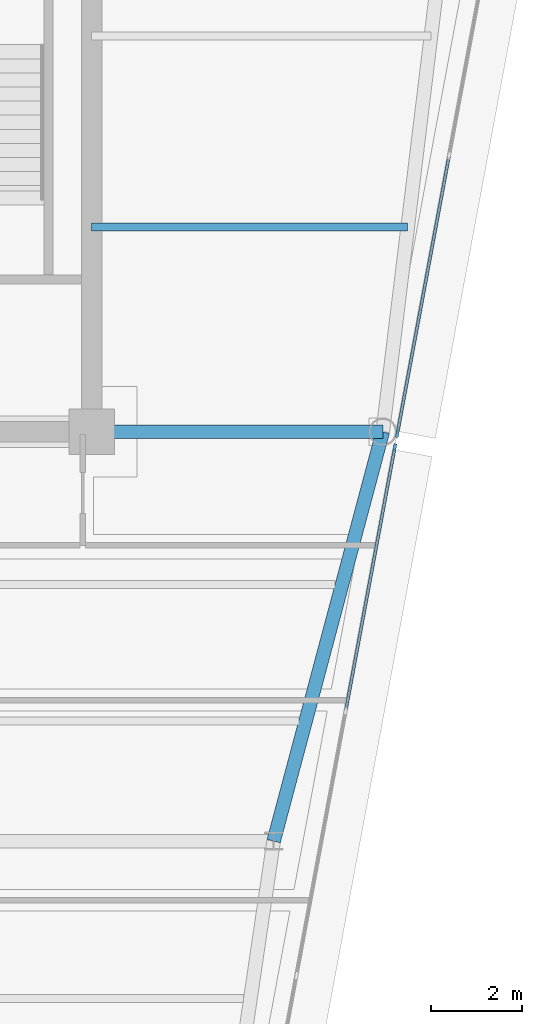
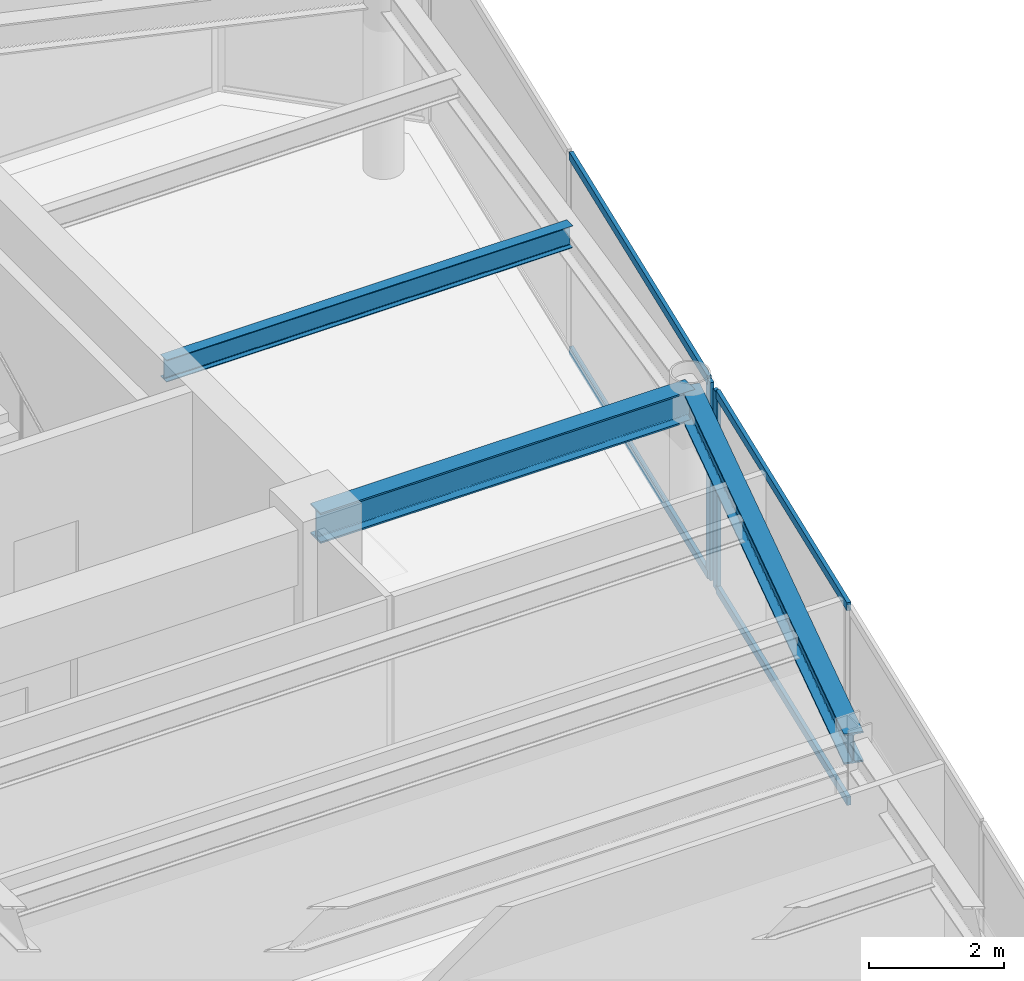
# One storey, part 6 of 18: 6 members, 3 beams, 2 elements without a shape of their own.
"""IFC4 building model written with IfcOpenShell, lengths in metres."""

import ifcopenshell
import ifcopenshell.guid

model = None  # the IFC model being written
_history = None  # IfcOwnerHistory: only IFC2X3 demands one
_inside = {}  # id of a spatial element -> (the spatial element, [elements in it])
_under = {}  # id of a project, library or spatial element -> (it, [spatial elements below it])
_declared = {}  # id of a project -> (the project, [libraries it declares])
_typed = {}  # id of a type object -> (the type object, [elements of that type])
_made_of = {}  # id of a material, layer set ... -> (it, [elements and type objects made of it])


def new_model(schema):
    """Start an empty IFC model of exactly this schema.

    Asked for "IFC4X3", IfcOpenShell would pick the latest addendum, in which some entities
    have other attributes; the version numbers below select the first issue.
    IFC2X3 requires an IfcOwnerHistory on every rooted entity: one is made here for all.
    """
    global model, _history
    if schema == "IFC4X3":
        model = ifcopenshell.file(schema_version=(4, 3, 0, 0))
    else:
        model = ifcopenshell.file(schema=schema)
    _inside.clear()
    _under.clear()
    _declared.clear()
    _typed.clear()
    _made_of.clear()
    _history = None
    if model.schema == "IFC2X3":
        org = make("IfcOrganization", Name="unknown")
        user = make(
            "IfcPersonAndOrganization",
            ThePerson=make("IfcPerson", FamilyName="unknown"),
            TheOrganization=org,
        )
        app = make(
            "IfcApplication",
            ApplicationDeveloper=org,
            Version="unknown",
            ApplicationFullName="unknown",
            ApplicationIdentifier="unknown",
        )
        _history = make(
            "IfcOwnerHistory",
            OwningUser=user,
            OwningApplication=app,
            ChangeAction="ADDED",
            CreationDate=0,
        )
    return model


def make(cls, **values):
    """One entity of the class cls with the attributes given. An attribute that is None is left unset."""
    return model.create_entity(
        cls, **{name: value for name, value in values.items() if value is not None}
    )


def rooted(cls, **values):
    """An entity with a GlobalId (a new one), such as an element, a storey or a relation."""
    return make(cls, GlobalId=ifcopenshell.guid.new(), OwnerHistory=_history, **values)


def si_unit(unit_type, name, prefix=None):
    """IfcSIUnit, for example si_unit("LENGTHUNIT", "METRE", prefix="MILLI")."""
    return make("IfcSIUnit", UnitType=unit_type, Prefix=prefix, Name=name)


def assignment(units):
    """IfcUnitAssignment: the units of a project."""
    return None if units is None else make("IfcUnitAssignment", Units=units)


def point(xyz):
    """IfcCartesianPoint."""
    return None if xyz is None else make("IfcCartesianPoint", Coordinates=xyz)


def direction(xyz):
    """IfcDirection."""
    return None if xyz is None else make("IfcDirection", DirectionRatios=xyz)


def frame(location, z_axis=None, x_axis=None):
    """IfcAxis2Placement3D, a coordinate frame: its origin and axes. An axis left out is left unset."""
    return make(
        "IfcAxis2Placement3D",
        Location=point(location),
        Axis=direction(z_axis),
        RefDirection=direction(x_axis),
    )


def frame_2d(location, x_axis=None):
    """IfcAxis2Placement2D, a coordinate frame in the plane: its origin and x axis."""
    return make(
        "IfcAxis2Placement2D", Location=point(location), RefDirection=direction(x_axis)
    )


def origin():
    """The frame at (0, 0, 0) with its axes left unset."""
    return frame((0.0, 0.0, 0.0))


def origin_2d():
    """The frame at (0, 0) in the plane with its x axis left unset."""
    return frame_2d((0.0, 0.0))


def place(relative_to, where):
    """IfcLocalPlacement: puts the frame where relative to a parent placement (None: the world)."""
    return make(
        "IfcLocalPlacement", PlacementRelTo=relative_to, RelativePlacement=where
    )


def context(
    kind, dimensions, precision=None, world=None, true_north=None, identifier=None
):
    """IfcGeometricRepresentationContext, for example the 3D "Model" context."""
    return make(
        "IfcGeometricRepresentationContext",
        ContextIdentifier=identifier,
        ContextType=kind,
        CoordinateSpaceDimension=dimensions,
        Precision=precision,
        WorldCoordinateSystem=world,
        TrueNorth=true_north,
    )


def subcontext(parent, identifier, kind, view, scale=None):
    """IfcGeometricRepresentationSubContext, for example "Body" below "Model"."""
    return make(
        "IfcGeometricRepresentationSubContext",
        ContextIdentifier=identifier,
        ContextType=kind,
        ParentContext=parent,
        TargetScale=scale,
        TargetView=view,
    )


def project(units=None, contexts=None):
    """IfcProject with its units and contexts."""
    return rooted(
        "IfcProject",
        Name="project",
        RepresentationContexts=contexts,
        UnitsInContext=assignment(units),
    )


def spatial(cls, under=None, at=None, **own):
    """A site, building, storey or space (cls), placed at a placement, below another one or the project."""
    s = rooted(cls, ObjectPlacement=at, **own)
    if under is not None:
        _under.setdefault(under.id(), (under, []))[1].append(s)
    return s


def profile(cls, at=None, kind="AREA", **sizes):
    """A parametric profile (cls). Its sizes go by their IFC names, for example OverallWidth=200.0."""
    return make(cls, ProfileType=kind, Position=at, **sizes)


def rectangle(**sizes):
    """IfcRectangleProfileDef."""
    return profile("IfcRectangleProfileDef", **sizes)


def i_section(**sizes):
    """IfcIShapeProfileDef."""
    return profile("IfcIShapeProfileDef", **sizes)


def extrude(swept, where, along, depth):
    """IfcExtrudedAreaSolid: the profile swept, set in the frame where, extruded along a direction by depth."""
    return make(
        "IfcExtrudedAreaSolid",
        SweptArea=swept,
        Position=where,
        ExtrudedDirection=direction(along),
        Depth=depth,
    )


def shape(context_of_items, identifier, shape_type, items):
    """IfcShapeRepresentation: the items that make up one representation, for example the "Body"."""
    return make(
        "IfcShapeRepresentation",
        ContextOfItems=context_of_items,
        RepresentationIdentifier=identifier,
        RepresentationType=shape_type,
        Items=items,
    )


def source(mapping_origin, context_of_items, identifier, shape_type, items):
    """IfcRepresentationMap: a shape defined once, which mapped items show again and again."""
    return make(
        "IfcRepresentationMap",
        MappingOrigin=mapping_origin,
        MappedRepresentation=shape(context_of_items, identifier, shape_type, items),
    )


def transform(
    local_origin,
    x_axis=None,
    y_axis=None,
    z_axis=None,
    scale=None,
    scale2=None,
    scale3=None,
    uniform=True,
):
    """IfcCartesianTransformationOperator3D, or its non-uniform kind. x_axis, y_axis, z_axis: its Axis1, 2, 3."""
    if uniform:
        return make(
            "IfcCartesianTransformationOperator3D",
            Axis1=direction(x_axis),
            Axis2=direction(y_axis),
            LocalOrigin=point(local_origin),
            Scale=scale,
            Axis3=direction(z_axis),
        )
    return make(
        "IfcCartesianTransformationOperator3DnonUniform",
        Axis1=direction(x_axis),
        Axis2=direction(y_axis),
        LocalOrigin=point(local_origin),
        Scale=scale,
        Axis3=direction(z_axis),
        Scale2=scale2,
        Scale3=scale3,
    )


def mapped(mapping_source, mapping_target):
    """IfcMappedItem: shows the shape of a source again, moved by a transform."""
    return make(
        "IfcMappedItem", MappingSource=mapping_source, MappingTarget=mapping_target
    )


def material(Name=None, Category=None):
    """IfcMaterial."""
    return make("IfcMaterial", Name=Name, Category=Category)


def layer(
    of_material, thickness, ventilated=None, Name=None, Category=None, Priority=None
):
    """IfcMaterialLayer: one layer of a wall or slab, of a material (None: an air gap)."""
    return make(
        "IfcMaterialLayer",
        Material=of_material,
        LayerThickness=thickness,
        IsVentilated=ventilated,
        Name=Name,
        Category=Category,
        Priority=Priority,
    )


def layer_set(layers, Name=None):
    """IfcMaterialLayerSet."""
    return make("IfcMaterialLayerSet", MaterialLayers=layers, LayerSetName=Name)


def material_profile(
    of_material, cross_section, Name=None, Category=None, Priority=None
):
    """IfcMaterialProfile: a cross section and its material."""
    return make(
        "IfcMaterialProfile",
        Name=Name,
        Material=of_material,
        Profile=cross_section,
        Priority=Priority,
        Category=Category,
    )


def profile_set(profiles, Name=None, composite=None):
    """IfcMaterialProfileSet."""
    return make(
        "IfcMaterialProfileSet",
        Name=Name,
        MaterialProfiles=profiles,
        CompositeProfile=composite,
    )


def made_of(thing, what):
    """Note that an element or type object is made of a material, layer set ...; save() writes the relation."""
    if what is not None:
        _made_of.setdefault(what.id(), (what, []))[1].append(thing)
    return thing


def type_object(cls, material=None, **own):
    """A type object (cls), such as IfcWallType, which elements share."""
    return made_of(rooted(cls, **own), material)


def element(
    cls,
    number,
    at=None,
    inside=None,
    cuts=None,
    type_object=None,
    material=None,
    context=None,
    identifier="Body",
    shape_type=None,
    held_by="IfcProductDefinitionShape",
    body=None,
    shapes=None,
    **own,
):
    """One element of the class cls, such as IfcWall. Its Tag is "e" and its number.

    at: its placement. inside: the storey or other place that contains it. cuts: it is an
    opening in that element (IfcRelVoidsElement). A single representation is given by context,
    identifier, shape_type and body (its items); several are given by shapes. held_by: the class
    of the entity that holds the representations. save() writes the other relations.
    """
    e = rooted(cls, Tag="e%d" % number, ObjectPlacement=at, **own)
    if body is not None:
        shapes = [shape(context, identifier, shape_type, body)]
    if shapes is not None:
        e.Representation = make(held_by, Representations=shapes)
    if inside is not None:
        _inside.setdefault(inside.id(), (inside, []))[1].append(e)
    if cuts is not None:
        rooted(
            "IfcRelVoidsElement", RelatingBuildingElement=cuts, RelatedOpeningElement=e
        )
    if type_object is not None:
        _typed.setdefault(type_object.id(), (type_object, []))[1].append(e)
    return made_of(e, material)


def aggregate(whole, parts):
    """IfcRelAggregates: a whole, such as a stair, and the parts it consists of."""
    return rooted("IfcRelAggregates", RelatingObject=whole, RelatedObjects=parts)


def save(model, path):
    """Write the relations noted so far, then the file.

    IfcRelAggregates (storeys below a building ...), IfcRelContainedInSpatialStructure (elements
    in a storey), IfcRelDefinesByType, IfcRelAssociatesMaterial and IfcRelDeclares: one each for
    every whole, place, type object, material and project.
    """
    for whole, parts in _under.values():
        aggregate(whole, parts)
    for where, things in _inside.values():
        rooted(
            "IfcRelContainedInSpatialStructure",
            RelatedElements=things,
            RelatingStructure=where,
        )
    for kind, things in _typed.values():
        rooted("IfcRelDefinesByType", RelatedObjects=things, RelatingType=kind)
    for what, things in _made_of.values():
        rooted("IfcRelAssociatesMaterial", RelatedObjects=things, RelatingMaterial=what)
    for by, libraries in _declared.values():
        rooted("IfcRelDeclares", RelatingContext=by, RelatedDefinitions=libraries)
    model.write(path)


model = new_model("IFC4")

# Units and contexts
model_context = context("Model", 3, precision=1e-05, world=origin(), true_north=direction((0.0, 1.0)))
body_context = subcontext(model_context, "Body", "Model", "MODEL_VIEW")
ifc_project = project(units=[si_unit("LENGTHUNIT", "METRE"), si_unit("AREAUNIT", "SQUARE_METRE"), si_unit("VOLUMEUNIT", "CUBIC_METRE"), si_unit("PLANEANGLEUNIT", "RADIAN"), si_unit("MASSUNIT", "GRAM", prefix="KILO")], contexts=[model_context])

# Site, building, storey
site_placement = place(None, origin())
site = spatial("IfcSite", under=ifc_project, at=site_placement, CompositionType="ELEMENT")
building_placement = place(site_placement, origin())
building = spatial("IfcBuilding", under=site, at=building_placement, Name="Vaeldorn Concourse Tower", CompositionType="ELEMENT")
storey_placement = place(building_placement, frame((0.0, 0.0, 261.199951171875)))
storey = spatial("IfcBuildingStorey", under=building, at=storey_placement, Name="L67", CompositionType="ELEMENT", Elevation=261.199951171875)

# Beams
ifc_material_1 = material(Name="Steel S355", Category="steel")
ifc_material_profile_1 = material_profile(ifc_material_1, i_section(OverallWidth=0.179931640625, OverallDepth=0.39990234375, WebThickness=0.008544921875, FlangeThickness=0.013427734375, FilletRadius=0.02099609375, at=origin_2d()), Name="IPE 400")
ifc_profile_set_1 = profile_set([ifc_material_profile_1], Name="Steel S355")
beam_type_1 = type_object("IfcBeamType", Name="BM-JS-IPE400", PredefinedType="JOIST", material=ifc_profile_set_1)
shared_shape_1 = source(origin(), body_context, "Body", "SweptSolid", [
    extrude(i_section(OverallWidth=0.179931640625, OverallDepth=0.39990234375, WebThickness=0.008544921875, FlangeThickness=0.013427734375, FilletRadius=0.02099609375, at=origin_2d()), origin(), (0.0, 0.0, 1.0), 6.94775390625),
])
beam_1_placement = place(storey_placement, frame((54.0, 41.0, 3.380126953125), z_axis=(1.0, 0.0, 0.0), x_axis=(0.0, 1.0, 0.0)))
element("IfcBeam", 1, at=beam_1_placement, inside=storey, type_object=beam_type_1, Name="Beam JS-L67-NE-410", PredefinedType="JOIST", context=body_context, shape_type="MappedRepresentation", body=[
    mapped(shared_shape_1, transform((0.0, 0.0, 0.0), scale=1.0)),
])
ifc_material_profile_2 = material_profile(ifc_material_1, i_section(OverallWidth=0.300048828125, OverallDepth=0.550048828125, WebThickness=0.014892578125, FlangeThickness=0.029052734375, FilletRadius=0.027099609375, at=origin_2d()), Name="HEB 550")
ifc_profile_set_2 = profile_set([ifc_material_profile_2], Name="Steel S355")
beam_type_2 = type_object("IfcBeamType", Name="BM-PG-HEB550", PredefinedType="BEAM", material=ifc_profile_set_2)
shared_shape_2 = source(origin(), body_context, "Body", "SweptSolid", [
    extrude(i_section(OverallWidth=0.300048828125, OverallDepth=0.550048828125, WebThickness=0.014892578125, FlangeThickness=0.029052734375, FilletRadius=0.027099609375, at=origin_2d()), origin(), (0.0, 0.0, 1.0), 6.39990234375),
])
beam_2_placement = place(storey_placement, frame((54.0, 36.5, 3.304931640625), z_axis=(1.0, 0.0, 0.0), x_axis=(0.0, 1.0, 0.0)))
element("IfcBeam", 2, at=beam_2_placement, inside=storey, type_object=beam_type_2, Name="Beam BM-L67-C-FC6-C-NE2", PredefinedType="BEAM", context=body_context, shape_type="MappedRepresentation", body=[
    mapped(shared_shape_2, transform((0.0, 0.0, 0.0), scale=1.0)),
])
shared_shape_3 = source(origin(), body_context, "Body", "SweptSolid", [
    extrude(i_section(OverallWidth=0.300048828125, OverallDepth=0.550048828125, WebThickness=0.014892578125, FlangeThickness=0.029052734375, FilletRadius=0.027099609375, at=origin_2d()), origin(), (0.0, 0.0, 1.0), 9.314453125),
])
beam_3_placement = place(storey_placement, frame((60.39990234375, 36.5, 3.304931640625), z_axis=(-0.257652862255, -0.966237549763, 0.0), x_axis=(0.966237549763, -0.257652862255, 0.0)))
element("IfcBeam", 3, at=beam_3_placement, inside=storey, type_object=beam_type_2, Name="Beam BM-L67-C-NE2-C-FLE1", PredefinedType="BEAM", context=body_context, shape_type="MappedRepresentation", body=[
    mapped(shared_shape_3, transform((0.0, 0.0, 0.0), scale=1.0)),
])

# Curtain wall, member
ifc_material_2 = material(Name="Anodised Bronze Aluminium", Category="aluminium")
ifc_layer = layer(ifc_material_2, 0.179931640625)
ifc_layer_set = layer_set([ifc_layer], Name="Anodised Bronze Aluminium")
curtain_wall_type = type_object("IfcCurtainWallType", Name="CW-SYS-05", PredefinedType="NOTDEFINED", material=ifc_layer_set)
curtain_wall_1_placement = place(storey_placement, origin())
curtain_wall_1 = element("IfcCurtainWall", 4, at=curtain_wall_1_placement, inside=storey, type_object=curtain_wall_type, Name="Unitised Curtain Wall CW-L67-E07-1", PredefinedType="NOTDEFINED")
ifc_material_profile_3 = material_profile(ifc_material_2, rectangle(XDim=0.06494140625, YDim=0.169921875, at=origin_2d()), Name="CWM 65x170")
ifc_profile_set_3 = profile_set([ifc_material_profile_3], Name="Anodised Bronze Aluminium")
member_type_1 = type_object("IfcMemberType", Name="CWM-BRONZE-170", PredefinedType="MULLION", material=ifc_profile_set_3)
shared_shape_4 = source(origin(), body_context, "Body", "SweptSolid", [
    extrude(rectangle(XDim=0.06494140625, YDim=0.169921875, at=origin_2d()), origin(), (0.0, 0.0, 1.0), 3.580078125),
])
member_1_placement = place(storey_placement, frame((60.663818359375, 36.153076171875, 0.0), z_axis=(0.0, 0.0, 1.0), x_axis=(-0.983102653673, 0.18305510739, 0.0)))
member_1 = element("IfcMember", 5, at=member_1_placement, type_object=member_type_1, Name="CW-05 mullion 5", PredefinedType="MULLION", context=body_context, shape_type="MappedRepresentation", body=[
    mapped(shared_shape_4, transform((0.0, 0.0, 0.0), scale=1.0)),
])

curtain_wall_2_placement = place(storey_placement, origin())
curtain_wall_2 = element("IfcCurtainWall", 6, at=curtain_wall_2_placement, inside=storey, type_object=curtain_wall_type, Name="Unitised Curtain Wall CW-L67-E07-2", PredefinedType="NOTDEFINED")
member_2_placement = place(storey_placement, frame((60.720947265625, 36.460205078125, 0.0), z_axis=(0.0, 0.0, 1.0), x_axis=(-0.983102768025, 0.183054493257, 0.0)))
member_2 = element("IfcMember", 7, at=member_2_placement, type_object=member_type_1, Name="CW-05 mullion 1", PredefinedType="MULLION", context=body_context, shape_type="MappedRepresentation", body=[
    mapped(shared_shape_4, transform((0.0, 0.0, 0.0), scale=1.0)),
])

# Member
ifc_material_profile_4 = material_profile(ifc_material_2, rectangle(XDim=0.06494140625, YDim=0.14990234375, at=origin_2d()), Name="CWT 65x150")
ifc_profile_set_4 = profile_set([ifc_material_profile_4], Name="Anodised Bronze Aluminium")
member_type_2 = type_object("IfcMemberType", Name="CWT-BRONZE-150", PredefinedType="USERDEFINED", material=ifc_profile_set_4)
shared_shape_5 = source(origin(), body_context, "Body", "SweptSolid", [
    extrude(rectangle(XDim=0.06494140625, YDim=0.14990234375, at=origin_2d()), origin(), (0.0, 0.0, 1.0), 5.82373046875),
])
member_3_placement = place(storey_placement, frame((59.591796875, 30.395751953125, 0.032470703125), z_axis=(0.183030414843, 0.983107251139, 0.0), x_axis=(-0.983107251139, 0.183030414843, 0.0)))
member_3 = element("IfcMember", 8, at=member_3_placement, type_object=member_type_2, Name="CW-05 transom 4.1", ObjectType="TRANSOM", PredefinedType="USERDEFINED", context=body_context, shape_type="MappedRepresentation", body=[
    mapped(shared_shape_5, transform((0.0, 0.0, 0.0), scale=1.0)),
])

member_4_placement = place(storey_placement, frame((59.591796875, 30.395751953125, 3.547607421875), z_axis=(0.183030414843, 0.983107251139, 0.0), x_axis=(-0.983107251139, 0.183030414843, 0.0)))
member_4 = element("IfcMember", 9, at=member_4_placement, type_object=member_type_2, Name="CW-05 transom 4.2", ObjectType="TRANSOM", PredefinedType="USERDEFINED", context=body_context, shape_type="MappedRepresentation", body=[
    mapped(shared_shape_5, transform((0.0, 0.0, 0.0), scale=1.0)),
])

aggregate(curtain_wall_1, [member_1, member_3, member_4])

shared_shape_6 = source(origin(), body_context, "Body", "SweptSolid", [
    extrude(rectangle(XDim=0.06494140625, YDim=0.14990234375, at=origin_2d()), origin(), (0.0, 0.0, 1.0), 6.143798828125),
])
member_5_placement = place(storey_placement, frame((60.726806640625, 36.4921875, 0.032470703125), z_axis=(0.183069583935, 0.983099958009, 0.0), x_axis=(-0.983099958009, 0.183069583935, 0.0)))
member_5 = element("IfcMember", 10, at=member_5_placement, type_object=member_type_2, Name="CW-05 transom 1.1", ObjectType="TRANSOM", PredefinedType="USERDEFINED", context=body_context, shape_type="MappedRepresentation", body=[
    mapped(shared_shape_6, transform((0.0, 0.0, 0.0), scale=1.0)),
])

member_6_placement = place(storey_placement, frame((60.726806640625, 36.4921875, 3.547607421875), z_axis=(0.183069583935, 0.983099958009, 0.0), x_axis=(-0.983099958009, 0.183069583935, 0.0)))
member_6 = element("IfcMember", 11, at=member_6_placement, type_object=member_type_2, Name="CW-05 transom 1.2", ObjectType="TRANSOM", PredefinedType="USERDEFINED", context=body_context, shape_type="MappedRepresentation", body=[
    mapped(shared_shape_6, transform((0.0, 0.0, 0.0), scale=1.0)),
])

aggregate(curtain_wall_2, [member_2, member_5, member_6])

save(model, "model.ifc")
